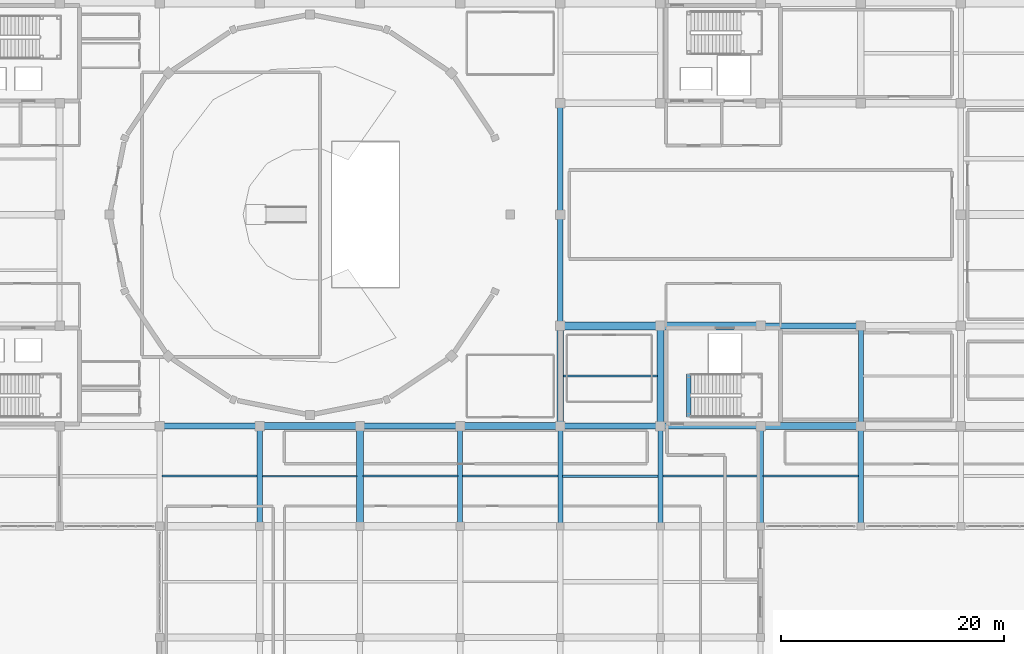
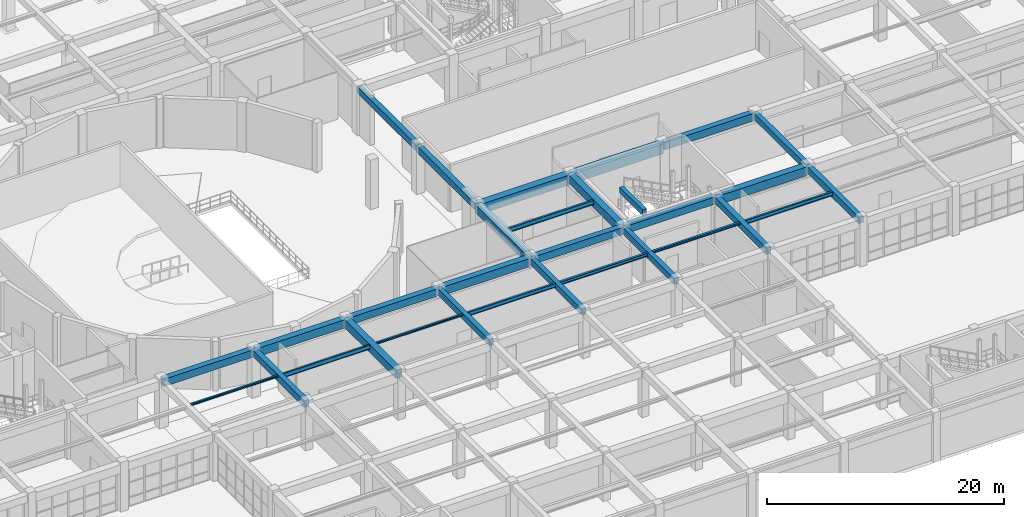
# One storey, part 46 of 128: 31 beams.
"""IFC4 building model written with IfcOpenShell, lengths in metres."""

from ifc_helpers import new_model, si_unit, direction, frame, origin, origin_2d, place, context, subcontext, project, spatial, rectangle, i_section, extrude, material, material_profile, profile_set, type_object, element, save


model = new_model("IFC4")

# Units and contexts
model_context = context("Model", 3, precision=1e-05, world=origin(), true_north=direction((0.0, 1.0)))
body_context = subcontext(model_context, "Body", "Model", "MODEL_VIEW")
ifc_project = project(units=[si_unit("LENGTHUNIT", "METRE"), si_unit("AREAUNIT", "SQUARE_METRE"), si_unit("VOLUMEUNIT", "CUBIC_METRE"), si_unit("PLANEANGLEUNIT", "RADIAN"), si_unit("MASSUNIT", "GRAM", prefix="KILO")], contexts=[model_context])

# Site, building, storey
site_placement = place(None, origin())
site = spatial("IfcSite", under=ifc_project, at=site_placement, CompositionType="ELEMENT")
building_placement = place(site_placement, origin())
building = spatial("IfcBuilding", under=site, at=building_placement, Name="Miravela Opera House", CompositionType="ELEMENT")
storey_placement = place(building_placement, origin())
storey = spatial("IfcBuildingStorey", under=building, at=storey_placement, Name="L00", CompositionType="ELEMENT", Elevation=0.0)

# Beams
ifc_material_1 = material(Name="Concrete C35/45", Category="concrete")
ifc_material_profile_1 = material_profile(ifc_material_1, rectangle(XDim=0.39990234375, YDim=0.60009765625, at=origin_2d()), Name="RC-BM-400X600")
ifc_profile_set_1 = profile_set([ifc_material_profile_1])
beam_type_1 = type_object("IfcBeamType", Name="STR-BM-RC400X600", PredefinedType="JOIST", material=ifc_profile_set_1)
beam_1_placement = place(storey_placement, frame((110.5400390625, 37.800048828125, 4.800048828125), z_axis=(0.0, 1.0, 0.0), x_axis=(-1.0, 0.0, 0.0)))
element("IfcBeam", 1, at=beam_1_placement, inside=storey, type_object=beam_type_1, Name="Stair K4 Opening Header Trimmer Beam 01", PredefinedType="JOIST", context=body_context, shape_type="SweptSolid", body=[
    extrude(rectangle(XDim=0.39990234375, YDim=0.60009765625, at=origin_2d()), origin(), (0.0, 0.0, 1.0), 3.8798828125),
])
ifc_material_profile_2 = material_profile(ifc_material_1, rectangle(XDim=0.449951171875, YDim=0.64990234375, at=origin_2d()), Name="RC-BM-450X650")
ifc_profile_set_2 = profile_set([ifc_material_profile_2])
beam_type_2 = type_object("IfcBeamType", Name="STR-BM-RC450X650", PredefinedType="BEAM", material=ifc_profile_set_2)
for number, where, z_axis, x_axis, name in (
    (2, (90.0, 28.080078125, 4.52490234375), (0.0, 1.0, 0.0), (-1.0, 0.0, 0.0), "Floor Girder L00 11/D-E"),
    (3, (99.0, 28.080078125, 4.52490234375), (0.0, 1.0, 0.0), (-1.0, 0.0, 0.0), "Floor Girder L00 12/D-E"),
    (4, (108.0, 28.080078125, 4.52490234375), (0.0, 1.0, 0.0), (-1.0, 0.0, 0.0), "Floor Girder L00 13/D-E"),
    (5, (126.0, 37.080078125, 4.52490234375), (0.0, 1.0, 0.0), (-1.0, 0.0, 0.0), "Floor Girder L00 15/E-F"),
):
    element("IfcBeam", number, at=place(storey_placement, frame(where, z_axis=z_axis, x_axis=x_axis)), inside=storey, type_object=beam_type_2, Name=name, PredefinedType="BEAM", context=body_context, shape_type="SweptSolid", body=[
        extrude(rectangle(XDim=0.449951171875, YDim=0.64990234375, at=origin_2d()), origin(), (0.0, 0.0, 1.0), 8.83984375),
    ])
ifc_material_profile_3 = material_profile(ifc_material_1, rectangle(XDim=0.47998046875, YDim=0.679931640625, at=origin_2d()), Name="RC-BM-480X680")
ifc_profile_set_3 = profile_set([ifc_material_profile_3])
beam_type_3 = type_object("IfcBeamType", Name="STR-BM-RC480X680", PredefinedType="BEAM", material=ifc_profile_set_3)
beam_2_placement = place(storey_placement, frame((99.0, 56.080078125, 4.510009765625), z_axis=(0.0, 1.0, 0.0), x_axis=(-1.0, 0.0, 0.0)))
element("IfcBeam", 6, at=beam_2_placement, inside=storey, type_object=beam_type_3, Name="Floor Girder L00 12/G-H", PredefinedType="BEAM", context=body_context, shape_type="SweptSolid", body=[
    extrude(rectangle(XDim=0.47998046875, YDim=0.679931640625, at=origin_2d()), origin(), (0.0, 0.0, 1.0), 9.83984375),
])
beam_3_placement = place(storey_placement, frame((126.0, 28.080078125, 4.510009765625), z_axis=(0.0, 1.0, 0.0), x_axis=(-1.0, 0.0, 0.0)))
element("IfcBeam", 7, at=beam_3_placement, inside=storey, type_object=beam_type_3, Name="Floor Girder L00 15/D-E", PredefinedType="BEAM", context=body_context, shape_type="SweptSolid", body=[
    extrude(rectangle(XDim=0.47998046875, YDim=0.679931640625, at=origin_2d()), origin(), (0.0, 0.0, 1.0), 8.83984375),
])
ifc_material_profile_4 = material_profile(ifc_material_1, rectangle(XDim=0.5, YDim=0.699951171875, at=origin_2d()), Name="RC-BM-500X700")
ifc_profile_set_4 = profile_set([ifc_material_profile_4])
beam_type_4 = type_object("IfcBeamType", Name="STR-BM-RC500X700", PredefinedType="BEAM", material=ifc_profile_set_4)
beam_4_placement = place(storey_placement, frame((72.0, 28.080078125, 4.5), z_axis=(0.0, 1.0, 0.0), x_axis=(-1.0, 0.0, 0.0)))
element("IfcBeam", 8, at=beam_4_placement, inside=storey, type_object=beam_type_4, Name="Floor Girder L00 9/D-E", PredefinedType="BEAM", context=body_context, shape_type="SweptSolid", body=[
    extrude(rectangle(XDim=0.5, YDim=0.699951171875, at=origin_2d()), origin(), (0.0, 0.0, 1.0), 8.83984375),
])
beam_5_placement = place(storey_placement, frame((99.0, 46.080078125, 4.5), z_axis=(0.0, 1.0, 0.0), x_axis=(-1.0, 0.0, 0.0)))
element("IfcBeam", 9, at=beam_5_placement, inside=storey, type_object=beam_type_4, Name="Floor Girder L00 12/F-G", PredefinedType="BEAM", context=body_context, shape_type="SweptSolid", body=[
    extrude(rectangle(XDim=0.5, YDim=0.699951171875, at=origin_2d()), origin(), (0.0, 0.0, 1.0), 9.83984375),
])
beam_6_placement = place(storey_placement, frame((117.0, 28.080078125, 4.5), z_axis=(0.0, 1.0, 0.0), x_axis=(-1.0, 0.0, 0.0)))
element("IfcBeam", 10, at=beam_6_placement, inside=storey, type_object=beam_type_4, Name="Floor Girder L00 14/D-E", PredefinedType="BEAM", context=body_context, shape_type="SweptSolid", body=[
    extrude(rectangle(XDim=0.5, YDim=0.699951171875, at=origin_2d()), origin(), (0.0, 0.0, 1.0), 8.83984375),
])
ifc_material_profile_5 = material_profile(ifc_material_1, rectangle(XDim=0.550048828125, YDim=0.75, at=origin_2d()), Name="RC-BM-550X750")
ifc_profile_set_5 = profile_set([ifc_material_profile_5])
beam_type_5 = type_object("IfcBeamType", Name="STR-BM-RC550X750", PredefinedType="BEAM", material=ifc_profile_set_5)
for number, where, z_axis, x_axis, name in (
    (11, (63.080078125, 37.0, 4.47509765625), (1.0, 0.0, 0.0), (0.0, 1.0, 0.0), "Floor Girder L00 8-9/E"),
    (12, (81.080078125, 37.0, 4.47509765625), (1.0, 0.0, 0.0), (0.0, 1.0, 0.0), "Floor Girder L00 10-11/E"),
    (13, (99.080078125, 37.0, 4.47509765625), (1.0, 0.0, 0.0), (0.0, 1.0, 0.0), "Floor Girder L00 12-13/E"),
    (14, (108.080078125, 37.0, 4.47509765625), (1.0, 0.0, 0.0), (0.0, 1.0, 0.0), "Floor Girder L00 13-14/E"),
    (15, (117.080078125, 46.0, 4.47509765625), (1.0, 0.0, 0.0), (0.0, 1.0, 0.0), "Floor Girder L00 14-15/F"),
):
    element("IfcBeam", number, at=place(storey_placement, frame(where, z_axis=z_axis, x_axis=x_axis)), inside=storey, type_object=beam_type_5, Name=name, PredefinedType="BEAM", context=body_context, shape_type="SweptSolid", body=[
        extrude(rectangle(XDim=0.550048828125, YDim=0.75, at=origin_2d()), origin(), (0.0, 0.0, 1.0), 8.83984375),
    ])
ifc_material_2 = material(Name="Concrete C40/50", Category="concrete")
ifc_material_profile_6 = material_profile(ifc_material_2, rectangle(XDim=0.60009765625, YDim=0.85009765625, at=origin_2d()), Name="RC-BM-600X850")
ifc_profile_set_6 = profile_set([ifc_material_profile_6])
beam_type_6 = type_object("IfcBeamType", Name="STR-BM-RC600X850", PredefinedType="BEAM", material=ifc_profile_set_6)
for number, where, z_axis, x_axis, name in (
    (16, (72.080078125, 37.0, 4.425048828125), (1.0, 0.0, 0.0), (0.0, 1.0, 0.0), "Floor Girder L00 9-10/E"),
    (17, (90.080078125, 37.0, 4.425048828125), (1.0, 0.0, 0.0), (0.0, 1.0, 0.0), "Floor Girder L00 11-12/E"),
    (18, (81.0, 28.080078125, 4.425048828125), (0.0, 1.0, 0.0), (-1.0, 0.0, 0.0), "Floor Girder L00 10/D-E"),
    (19, (99.0, 37.080078125, 4.425048828125), (0.0, 1.0, 0.0), (-1.0, 0.0, 0.0), "Floor Girder L00 12/E-F"),
    (20, (108.0, 37.080078125, 4.425048828125), (0.0, 1.0, 0.0), (-1.0, 0.0, 0.0), "Floor Girder L00 13/E-F"),
):
    element("IfcBeam", number, at=place(storey_placement, frame(where, z_axis=z_axis, x_axis=x_axis)), inside=storey, type_object=beam_type_6, Name=name, PredefinedType="BEAM", context=body_context, shape_type="SweptSolid", body=[
        extrude(rectangle(XDim=0.60009765625, YDim=0.85009765625, at=origin_2d()), origin(), (0.0, 0.0, 1.0), 8.83984375),
    ])
ifc_material_profile_7 = material_profile(ifc_material_2, rectangle(XDim=0.64990234375, YDim=0.89990234375, at=origin_2d()), Name="RC-BM-650X900")
ifc_profile_set_7 = profile_set([ifc_material_profile_7])
beam_type_7 = type_object("IfcBeamType", Name="STR-BM-RC650X900", PredefinedType="BEAM", material=ifc_profile_set_7)
beam_7_placement = place(storey_placement, frame((117.080078125, 37.0, 4.39990234375), z_axis=(1.0, 0.0, 0.0), x_axis=(0.0, 1.0, 0.0)))
element("IfcBeam", 21, at=beam_7_placement, inside=storey, type_object=beam_type_7, Name="Floor Girder L00 14-15/E", PredefinedType="BEAM", context=body_context, shape_type="SweptSolid", body=[
    extrude(rectangle(XDim=0.64990234375, YDim=0.89990234375, at=origin_2d()), origin(), (0.0, 0.0, 1.0), 8.83984375),
])
ifc_material_profile_8 = material_profile(ifc_material_2, rectangle(XDim=0.699951171875, YDim=1.0, at=origin_2d()), Name="RC-BM-700X1000")
ifc_profile_set_8 = profile_set([ifc_material_profile_8])
beam_type_8 = type_object("IfcBeamType", Name="STR-BM-RC700X1000", PredefinedType="BEAM", material=ifc_profile_set_8)
for number, where, z_axis, x_axis, name in (
    (22, (99.080078125, 46.0, 4.35009765625), (1.0, 0.0, 0.0), (0.0, 1.0, 0.0), "Floor Girder L00 12-13/F"),
    (23, (108.080078125, 46.0, 4.35009765625), (1.0, 0.0, 0.0), (0.0, 1.0, 0.0), "Floor Girder L00 13-14/F"),
):
    element("IfcBeam", number, at=place(storey_placement, frame(where, z_axis=z_axis, x_axis=x_axis)), inside=storey, type_object=beam_type_8, Name=name, PredefinedType="BEAM", context=body_context, shape_type="SweptSolid", body=[
        extrude(rectangle(XDim=0.699951171875, YDim=1.0, at=origin_2d()), origin(), (0.0, 0.0, 1.0), 8.83984375),
    ])
ifc_material_3 = material(Name="Structural steel ASTM A992 Gr. 50", Category="steel")
ifc_material_profile_9 = material_profile(ifc_material_3, i_section(OverallWidth=0.1650390625, OverallDepth=0.200927734375, WebThickness=0.006103515625, FlangeThickness=0.01025390625, FilletRadius=0.010009765625, at=origin_2d()), Name="W200X36")
ifc_profile_set_9 = profile_set([ifc_material_profile_9])
beam_type_9 = type_object("IfcBeamType", Name="STR-BM-W200X36", PredefinedType="LINTEL", material=ifc_profile_set_9)
beam_8_placement = place(storey_placement, frame((63.22509765625, 32.5, 4.74951171875), z_axis=(1.0, 0.0, 0.0), x_axis=(0.0, 1.0, 0.0)))
element("IfcBeam", 24, at=beam_8_placement, inside=storey, type_object=beam_type_9, Name="Secondary Floor Joist L00 8-9/D-E", PredefinedType="LINTEL", context=body_context, shape_type="SweptSolid", body=[
    extrude(i_section(OverallWidth=0.1650390625, OverallDepth=0.200927734375, WebThickness=0.006103515625, FlangeThickness=0.01025390625, FilletRadius=0.010009765625, at=origin_2d()), origin(), (0.0, 0.0, 1.0), 8.539794921875),
])
beam_9_placement = place(storey_placement, frame((81.284912109375, 32.5, 4.74951171875), z_axis=(1.0, 0.0, 0.0), x_axis=(0.0, 1.0, 0.0)))
element("IfcBeam", 25, at=beam_9_placement, inside=storey, type_object=beam_type_9, Name="Secondary Floor Joist L00 10-11/D-E", PredefinedType="LINTEL", context=body_context, shape_type="SweptSolid", body=[
    extrude(i_section(OverallWidth=0.1650390625, OverallDepth=0.200927734375, WebThickness=0.006103515625, FlangeThickness=0.01025390625, FilletRadius=0.010009765625, at=origin_2d()), origin(), (0.0, 0.0, 1.0), 8.505126953125),
])
ifc_material_profile_10 = material_profile(ifc_material_3, i_section(OverallWidth=0.201904296875, OverallDepth=0.2470703125, WebThickness=0.00732421875, FlangeThickness=0.010986328125, FilletRadius=0.011962890625, at=origin_2d()), Name="W250X49")
ifc_profile_set_10 = profile_set([ifc_material_profile_10])
beam_type_10 = type_object("IfcBeamType", Name="STR-BM-W250X49", PredefinedType="LINTEL", material=ifc_profile_set_10)
beam_10_placement = place(storey_placement, frame((108.2099609375, 32.5, 4.7265625), z_axis=(1.0, 0.0, 0.0), x_axis=(0.0, 1.0, 0.0)))
element("IfcBeam", 26, at=beam_10_placement, inside=storey, type_object=beam_type_10, Name="Secondary Floor Joist L00 13-14/D-E", PredefinedType="LINTEL", context=body_context, shape_type="SweptSolid", body=[
    extrude(i_section(OverallWidth=0.201904296875, OverallDepth=0.2470703125, WebThickness=0.00732421875, FlangeThickness=0.010986328125, FilletRadius=0.011962890625, at=origin_2d()), origin(), (0.0, 0.0, 1.0), 8.554931640625),
])
ifc_material_profile_11 = material_profile(ifc_material_3, i_section(OverallWidth=0.2041015625, OverallDepth=0.35009765625, WebThickness=0.008544921875, FlangeThickness=0.01513671875, FilletRadius=0.013916015625, at=origin_2d()), Name="W360X72")
ifc_profile_set_11 = profile_set([ifc_material_profile_11])
beam_type_11 = type_object("IfcBeamType", Name="STR-BM-W360X72", PredefinedType="JOIST", material=ifc_profile_set_11)
beam_11_placement = place(storey_placement, frame((99.2099609375, 32.5, 4.675048828125), z_axis=(1.0, 0.0, 0.0), x_axis=(0.0, 1.0, 0.0)))
element("IfcBeam", 27, at=beam_11_placement, inside=storey, type_object=beam_type_11, Name="Secondary Floor Joist L00 12-13/D-E", PredefinedType="JOIST", context=body_context, shape_type="SweptSolid", body=[
    extrude(i_section(OverallWidth=0.2041015625, OverallDepth=0.35009765625, WebThickness=0.008544921875, FlangeThickness=0.01513671875, FilletRadius=0.013916015625, at=origin_2d()), origin(), (0.0, 0.0, 1.0), 8.580078125),
])
ifc_material_profile_12 = material_profile(ifc_material_3, i_section(OverallWidth=0.177978515625, OverallDepth=0.406982421875, WebThickness=0.0078125, FlangeThickness=0.0126953125, FilletRadius=0.012939453125, at=origin_2d()), Name="W410X60")
ifc_profile_set_12 = profile_set([ifc_material_profile_12])
beam_type_12 = type_object("IfcBeamType", Name="STR-BM-W410X60", PredefinedType="JOIST", material=ifc_profile_set_12)
beam_12_placement = place(storey_placement, frame((90.2099609375, 32.5, 4.646484375), z_axis=(1.0, 0.0, 0.0), x_axis=(0.0, 1.0, 0.0)))
element("IfcBeam", 28, at=beam_12_placement, inside=storey, type_object=beam_type_12, Name="Secondary Floor Joist L00 11-12/D-E", PredefinedType="JOIST", context=body_context, shape_type="SweptSolid", body=[
    extrude(i_section(OverallWidth=0.177978515625, OverallDepth=0.406982421875, WebThickness=0.0078125, FlangeThickness=0.0126953125, FilletRadius=0.012939453125, at=origin_2d()), origin(), (0.0, 0.0, 1.0), 8.580078125),
])
ifc_material_profile_13 = material_profile(ifc_material_3, i_section(OverallWidth=0.180908203125, OverallDepth=0.4169921875, WebThickness=0.010986328125, FlangeThickness=0.018310546875, FilletRadius=0.013916015625, at=origin_2d()), Name="W410X85")
ifc_profile_set_13 = profile_set([ifc_material_profile_13])
beam_type_13 = type_object("IfcBeamType", Name="STR-BM-W410X85", PredefinedType="JOIST", material=ifc_profile_set_13)
beam_13_placement = place(storey_placement, frame((117.235107421875, 32.5, 4.6416015625), z_axis=(1.0, 0.0, 0.0), x_axis=(0.0, 1.0, 0.0)))
element("IfcBeam", 29, at=beam_13_placement, inside=storey, type_object=beam_type_13, Name="Secondary Floor Joist L00 14-15/D-E", PredefinedType="JOIST", context=body_context, shape_type="SweptSolid", body=[
    extrude(i_section(OverallWidth=0.180908203125, OverallDepth=0.4169921875, WebThickness=0.010986328125, FlangeThickness=0.018310546875, FilletRadius=0.013916015625, at=origin_2d()), origin(), (0.0, 0.0, 1.0), 8.539794921875),
])
ifc_material_profile_14 = material_profile(ifc_material_3, i_section(OverallWidth=0.154052734375, OverallDepth=0.458984375, WebThickness=0.009033203125, FlangeThickness=0.015380859375, FilletRadius=0.013916015625, at=origin_2d()), Name="W460X68")
ifc_profile_set_14 = profile_set([ifc_material_profile_14])
beam_type_14 = type_object("IfcBeamType", Name="STR-BM-W460X68", PredefinedType="JOIST", material=ifc_profile_set_14)
beam_14_placement = place(storey_placement, frame((72.235107421875, 32.5, 4.62060546875), z_axis=(1.0, 0.0, 0.0), x_axis=(0.0, 1.0, 0.0)))
element("IfcBeam", 30, at=beam_14_placement, inside=storey, type_object=beam_type_14, Name="Secondary Floor Joist L00 9-10/D-E", PredefinedType="JOIST", context=body_context, shape_type="SweptSolid", body=[
    extrude(i_section(OverallWidth=0.154052734375, OverallDepth=0.458984375, WebThickness=0.009033203125, FlangeThickness=0.015380859375, FilletRadius=0.013916015625, at=origin_2d()), origin(), (0.0, 0.0, 1.0), 8.47998046875),
])
ifc_material_profile_15 = material_profile(ifc_material_3, i_section(OverallWidth=0.19091796875, OverallDepth=0.4599609375, WebThickness=0.010009765625, FlangeThickness=0.01611328125, FilletRadius=0.014892578125, at=origin_2d()), Name="W460X82")
ifc_profile_set_15 = profile_set([ifc_material_profile_15])
beam_type_15 = type_object("IfcBeamType", Name="STR-BM-W460X82", PredefinedType="JOIST", material=ifc_profile_set_15)
beam_15_placement = place(storey_placement, frame((99.284912109375, 41.5, 4.6201171875), z_axis=(1.0, 0.0, 0.0), x_axis=(0.0, 1.0, 0.0)))
element("IfcBeam", 31, at=beam_15_placement, inside=storey, type_object=beam_type_15, Name="Secondary Floor Joist L00 12-13/E-F", PredefinedType="JOIST", context=body_context, shape_type="SweptSolid", body=[
    extrude(i_section(OverallWidth=0.19091796875, OverallDepth=0.4599609375, WebThickness=0.010009765625, FlangeThickness=0.01611328125, FilletRadius=0.014892578125, at=origin_2d()), origin(), (0.0, 0.0, 1.0), 8.43017578125),
])

save(model, "model.ifc")
